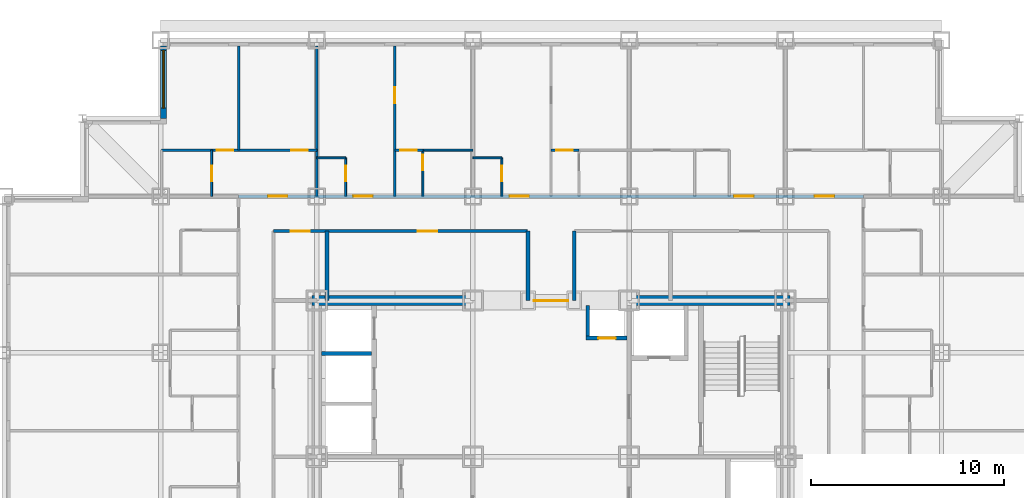
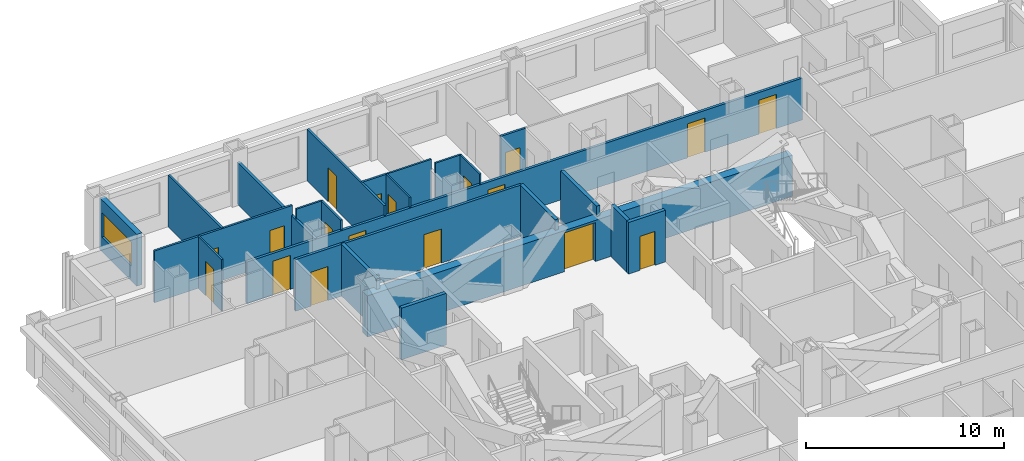
# One storey, part 9 of 12: 23 walls, 18 doors, 1 window, 19 openings.
"""IFC4 building model written with IfcOpenShell, lengths in metres."""

from ifc_helpers import new_model, si_unit, direction, frame, frame_2d, origin, place, context, subcontext, project, spatial, rectangle, extrude, material, layer, layer_set, type_object, element, fill, save


model = new_model("IFC4")

# Units and contexts
model_context = context("Model", 3, precision=1e-05, world=origin(), true_north=direction((0.0, 1.0)))
body_context = subcontext(model_context, "Body", "Model", "MODEL_VIEW")
ifc_project = project(units=[si_unit("LENGTHUNIT", "METRE"), si_unit("AREAUNIT", "SQUARE_METRE"), si_unit("VOLUMEUNIT", "CUBIC_METRE"), si_unit("PLANEANGLEUNIT", "RADIAN"), si_unit("MASSUNIT", "GRAM", prefix="KILO")], contexts=[model_context])

# Site, building, storey
site_placement = place(None, origin())
site = spatial("IfcSite", under=ifc_project, at=site_placement, CompositionType="ELEMENT")
building_placement = place(site_placement, origin())
building = spatial("IfcBuilding", under=site, at=building_placement, Name="Kopane Lantern Tower", CompositionType="ELEMENT")
storey_placement = place(building_placement, frame((0.0, 0.0, 120.39990234375)))
storey = spatial("IfcBuildingStorey", under=building, at=storey_placement, Name="L30", CompositionType="ELEMENT", Elevation=120.39990234375)

# Wall, opening, door
ifc_material_1 = material(Name="Gypsum board on steel studs", Category="steel")
ifc_layer_1 = layer(ifc_material_1, 0.1201171875)
ifc_layer_set_1 = layer_set([ifc_layer_1], Name="APARTMENT INTERNAL WALL 120")
wall_type_1 = type_object("IfcWallType", Name="APARTMENT INTERNAL WALL 120", PredefinedType="PARTITIONING", material=ifc_layer_set_1)
wall_1_placement = place(storey_placement, frame((20.25, 45.89990234375, 0.0), z_axis=(0.0, 0.0, 1.0), x_axis=(0.0, 1.0, 0.0)))
wall_1 = element("IfcWall", 1, at=wall_1_placement, inside=storey, type_object=wall_type_1, Name="Apartment Internal Wall 120 L30", PredefinedType="PARTITIONING", context=body_context, shape_type="SweptSolid", body=[
    extrude(rectangle(XDim=7.800048828125, YDim=0.1201171875, at=frame_2d((3.89990234375, 0.0))), origin(), (0.0, 0.0, 1.0), 3.190185546875),
])
opening_1_placement = place(wall_1_placement, frame((4.824951171875, 0.0, 0.0)))
opening_1 = element("IfcOpeningElement", 2, at=opening_1_placement, cuts=wall_1, Name="Opening L30-027", PredefinedType="OPENING", context=body_context, shape_type="SweptSolid", body=[
    extrude(rectangle(XDim=0.85009765625, YDim=2.10009765625, at=frame_2d((0.425048828125, 1.050048828125))), frame((0.0, 0.070068359375, 0.0), z_axis=(0.0, -1.0, 0.0), x_axis=(1.0, 0.0, 0.0)), (0.0, 0.0, 1.0), 0.14013671875),
])
ifc_material_2 = material(Name="Timber door set", Category="wood")
door_type_1 = type_object("IfcDoorType", Name="DOOR D4 850x2100", OperationType="SINGLE_SWING_LEFT", PredefinedType="DOOR", material=ifc_material_2)
door_1_placement = place(opening_1_placement, origin())
door_1 = element("IfcDoor", 3, at=door_1_placement, inside=storey, type_object=door_type_1, Name="Door L30-027", OperationType="SINGLE_SWING_RIGHT", OverallHeight=2.10009765625, OverallWidth=0.85009765625, PredefinedType="DOOR", context=body_context, shape_type="SweptSolid", body=[
    extrude(rectangle(XDim=0.85009765625, YDim=2.10009765625, at=frame_2d((0.425048828125, 1.050048828125))), frame((0.0, 0.02490234375, 0.0), z_axis=(0.0, -1.0, 0.0), x_axis=(1.0, 0.0, 0.0)), (0.0, 0.0, 1.0), 0.050048828125),
])
fill(opening_1, door_1)

# Wall, openings, doors
wall_2_placement = place(storey_placement, frame((8.14990234375, 48.300048828125, 0.0), z_axis=(0.0, 0.0, 1.0), x_axis=(1.0, 0.0, 0.0)))
wall_2 = element("IfcWall", 4, at=wall_2_placement, inside=storey, type_object=wall_type_1, Name="Apartment Internal Wall 120 L30", PredefinedType="PARTITIONING", context=body_context, shape_type="SweptSolid", body=[
    extrude(rectangle(XDim=8.050048828125, YDim=0.1201171875, at=frame_2d((4.02490234375, 0.0))), origin(), (0.0, 0.0, 1.0), 3.190185546875),
])
opening_2_placement = place(wall_2_placement, frame((6.72509765625, 0.0, 0.0)))
opening_2 = element("IfcOpeningElement", 5, at=opening_2_placement, cuts=wall_2, Name="Opening L30-072", PredefinedType="OPENING", context=body_context, shape_type="SweptSolid", body=[
    extrude(rectangle(XDim=0.85009765625, YDim=2.10009765625, at=frame_2d((0.425048828125, 1.050048828125))), frame((0.0, 0.070068359375, 0.0), z_axis=(0.0, -1.0, 0.0), x_axis=(1.0, 0.0, 0.0)), (0.0, 0.0, 1.0), 0.14013671875),
])
opening_3_placement = place(wall_2_placement, frame((2.875, 0.0, 0.0)))
opening_3 = element("IfcOpeningElement", 6, at=opening_3_placement, cuts=wall_2, Name="Opening L30-074", PredefinedType="OPENING", context=body_context, shape_type="SweptSolid", body=[
    extrude(rectangle(XDim=0.85009765625, YDim=2.10009765625, at=frame_2d((0.425048828125, 1.050048828125))), frame((0.0, 0.070068359375, 0.0), z_axis=(0.0, -1.0, 0.0), x_axis=(1.0, 0.0, 0.0)), (0.0, 0.0, 1.0), 0.14013671875),
])
door_2_placement = place(opening_2_placement, origin())
door_2 = element("IfcDoor", 7, at=door_2_placement, inside=storey, type_object=door_type_1, Name="Door L30-072", OperationType="SINGLE_SWING_LEFT", OverallHeight=2.10009765625, OverallWidth=0.85009765625, PredefinedType="DOOR", context=body_context, shape_type="SweptSolid", body=[
    extrude(rectangle(XDim=0.85009765625, YDim=2.10009765625, at=frame_2d((0.425048828125, 1.050048828125))), frame((0.0, 0.02490234375, 0.0), z_axis=(0.0, -1.0, 0.0), x_axis=(1.0, 0.0, 0.0)), (0.0, 0.0, 1.0), 0.050048828125),
])
fill(opening_2, door_2)
door_3_placement = place(opening_3_placement, origin())
door_3 = element("IfcDoor", 8, at=door_3_placement, inside=storey, type_object=door_type_1, Name="Door L30-074", OperationType="SINGLE_SWING_RIGHT", OverallHeight=2.10009765625, OverallWidth=0.85009765625, PredefinedType="DOOR", context=body_context, shape_type="SweptSolid", body=[
    extrude(rectangle(XDim=0.85009765625, YDim=2.10009765625, at=frame_2d((0.425048828125, 1.050048828125))), frame((0.0, 0.02490234375, 0.0), z_axis=(0.0, -1.0, 0.0), x_axis=(1.0, 0.0, 0.0)), (0.0, 0.0, 1.0), 0.050048828125),
])
fill(opening_3, door_3)

# Wall
wall_3_placement = place(storey_placement, frame((12.14990234375, 48.300048828125, 0.0), z_axis=(0.0, 0.0, 1.0), x_axis=(0.0, 1.0, 0.0)))
element("IfcWall", 9, at=wall_3_placement, inside=storey, type_object=wall_type_1, Name="Apartment Internal Wall 120 L30", PredefinedType="PARTITIONING", context=body_context, shape_type="SweptSolid", body=[
    extrude(rectangle(XDim=5.39990234375, YDim=0.1201171875, at=frame_2d((2.699951171875, 0.0))), origin(), (0.0, 0.0, 1.0), 3.190185546875),
])

# Wall, opening, door
wall_4_placement = place(storey_placement, frame((20.25, 48.300048828125, 0.0), z_axis=(0.0, 0.0, 1.0), x_axis=(1.0, 0.0, 0.0)))
wall_4 = element("IfcWall", 10, at=wall_4_placement, inside=storey, type_object=wall_type_1, Name="Apartment Internal Wall 120 L30", PredefinedType="PARTITIONING", context=body_context, shape_type="SweptSolid", body=[
    extrude(rectangle(XDim=1.4599609375, YDim=0.1201171875, at=frame_2d((0.72998046875, 0.0))), origin(), (0.0, 0.0, 1.0), 3.190185546875),
])
opening_4_placement = place(wall_4_placement, frame((0.27490234375, 0.0, 0.0)))
opening_4 = element("IfcOpeningElement", 11, at=opening_4_placement, cuts=wall_4, Name="Opening L30-078", PredefinedType="OPENING", context=body_context, shape_type="SweptSolid", body=[
    extrude(rectangle(XDim=0.85009765625, YDim=2.10009765625, at=frame_2d((0.425048828125, 1.050048828125))), frame((0.0, 0.070068359375, 0.0), z_axis=(0.0, -1.0, 0.0), x_axis=(1.0, 0.0, 0.0)), (0.0, 0.0, 1.0), 0.14013671875),
])
door_4_placement = place(opening_4_placement, origin())
door_4 = element("IfcDoor", 12, at=door_4_placement, inside=storey, type_object=door_type_1, Name="Door L30-078", OperationType="SINGLE_SWING_LEFT", OverallHeight=2.10009765625, OverallWidth=0.85009765625, PredefinedType="DOOR", context=body_context, shape_type="SweptSolid", body=[
    extrude(rectangle(XDim=0.85009765625, YDim=2.10009765625, at=frame_2d((0.425048828125, 1.050048828125))), frame((0.0, 0.02490234375, 0.0), z_axis=(0.0, -1.0, 0.0), x_axis=(1.0, 0.0, 0.0)), (0.0, 0.0, 1.0), 0.050048828125),
])
fill(opening_4, door_4)

wall_5_placement = place(storey_placement, frame((28.35009765625, 48.300048828125, 0.0), z_axis=(0.0, 0.0, 1.0), x_axis=(1.0, 0.0, 0.0)))
wall_5 = element("IfcWall", 13, at=wall_5_placement, inside=storey, type_object=wall_type_1, Name="Apartment Internal Wall 120 L30", PredefinedType="PARTITIONING", context=body_context, shape_type="SweptSolid", body=[
    extrude(rectangle(XDim=1.4599609375, YDim=0.1201171875, at=frame_2d((0.72998046875, 0.0))), origin(), (0.0, 0.0, 1.0), 3.190185546875),
])
opening_5_placement = place(wall_5_placement, frame((0.27490234375, 0.0, 0.0)))
opening_5 = element("IfcOpeningElement", 14, at=opening_5_placement, cuts=wall_5, Name="Opening L30-079", PredefinedType="OPENING", context=body_context, shape_type="SweptSolid", body=[
    extrude(rectangle(XDim=0.85009765625, YDim=2.10009765625, at=frame_2d((0.425048828125, 1.050048828125))), frame((0.0, 0.070068359375, 0.0), z_axis=(0.0, -1.0, 0.0), x_axis=(1.0, 0.0, 0.0)), (0.0, 0.0, 1.0), 0.14013671875),
])
door_5_placement = place(opening_5_placement, origin())
door_5 = element("IfcDoor", 15, at=door_5_placement, inside=storey, type_object=door_type_1, Name="Door L30-079", OperationType="SINGLE_SWING_LEFT", OverallHeight=2.10009765625, OverallWidth=0.85009765625, PredefinedType="DOOR", context=body_context, shape_type="SweptSolid", body=[
    extrude(rectangle(XDim=0.85009765625, YDim=2.10009765625, at=frame_2d((0.425048828125, 1.050048828125))), frame((0.0, 0.02490234375, 0.0), z_axis=(0.0, -1.0, 0.0), x_axis=(1.0, 0.0, 0.0)), (0.0, 0.0, 1.0), 0.050048828125),
])
fill(opening_5, door_5)

# Wall
ifc_material_3 = material(Name="Moisture-resistant board on steel studs", Category="steel")
ifc_layer_2 = layer(ifc_material_3, 0.10009765625)
ifc_layer_set_2 = layer_set([ifc_layer_2], Name="BATHROOM WALL 100")
wall_type_2 = type_object("IfcWallType", Name="BATHROOM WALL 100", PredefinedType="PARTITIONING", material=ifc_layer_set_2)
wall_6_placement = place(storey_placement, frame((16.199951171875, 47.89990234375, 0.0), z_axis=(0.0, 0.0, 1.0), x_axis=(1.0, 0.0, 0.0)))
element("IfcWall", 16, at=wall_6_placement, inside=storey, type_object=wall_type_2, Name="Bathroom Wall 100 L30", PredefinedType="PARTITIONING", context=body_context, shape_type="SweptSolid", body=[
    extrude(rectangle(XDim=1.5, YDim=0.10009765625, at=frame_2d((0.75, 0.0))), origin(), (0.0, 0.0, 1.0), 3.190185546875),
])

# Wall, opening, door
wall_7_placement = place(storey_placement, frame((17.699951171875, 45.89990234375, 0.0), z_axis=(0.0, 0.0, 1.0), x_axis=(0.0, 1.0, 0.0)))
wall_7 = element("IfcWall", 17, at=wall_7_placement, inside=storey, type_object=wall_type_2, Name="Bathroom Wall 100 L30", PredefinedType="PARTITIONING", context=body_context, shape_type="SweptSolid", body=[
    extrude(rectangle(XDim=2.0, YDim=0.10009765625, at=frame_2d((1.0, 0.0))), origin(), (0.0, 0.0, 1.0), 3.190185546875),
])
opening_6_placement = place(wall_7_placement, frame((0.800048828125, 0.0, 0.0)))
opening_6 = element("IfcOpeningElement", 18, at=opening_6_placement, cuts=wall_7, Name="Opening L30-024", PredefinedType="OPENING", context=body_context, shape_type="SweptSolid", body=[
    extrude(rectangle(XDim=0.800048828125, YDim=2.10009765625, at=frame_2d((0.39990234375, 1.050048828125))), frame((0.0, 0.06005859375, 0.0), z_axis=(0.0, -1.0, 0.0), x_axis=(1.0, 0.0, 0.0)), (0.0, 0.0, 1.0), 0.1201171875),
])
ifc_material_4 = material(Name="Timber door set", Category="wood")
door_type_2 = type_object("IfcDoorType", Name="DOOR D2 800x2100", OperationType="SINGLE_SWING_LEFT", PredefinedType="DOOR", material=ifc_material_4)
door_6_placement = place(opening_6_placement, origin())
door_6 = element("IfcDoor", 19, at=door_6_placement, inside=storey, type_object=door_type_2, Name="Door L30-024", OperationType="SINGLE_SWING_RIGHT", OverallHeight=2.10009765625, OverallWidth=0.800048828125, PredefinedType="DOOR", context=body_context, shape_type="SweptSolid", body=[
    extrude(rectangle(XDim=0.800048828125, YDim=2.10009765625, at=frame_2d((0.39990234375, 1.050048828125))), frame((0.0, 0.02490234375, 0.0), z_axis=(0.0, -1.0, 0.0), x_axis=(1.0, 0.0, 0.0)), (0.0, 0.0, 1.0), 0.050048828125),
])
fill(opening_6, door_6)

# Wall
wall_8_placement = place(storey_placement, frame((21.699951171875, 48.300048828125, 0.0), z_axis=(0.0, 0.0, 1.0), x_axis=(1.0, 0.0, 0.0)))
element("IfcWall", 20, at=wall_8_placement, inside=storey, type_object=wall_type_2, Name="Bathroom Wall 100 L30", PredefinedType="PARTITIONING", context=body_context, shape_type="SweptSolid", body=[
    extrude(rectangle(XDim=2.60009765625, YDim=0.10009765625, at=frame_2d((1.300048828125, 0.0))), origin(), (0.0, 0.0, 1.0), 3.190185546875),
])

# Wall, opening, door
wall_9_placement = place(storey_placement, frame((21.699951171875, 45.89990234375, 0.0), z_axis=(0.0, 0.0, 1.0), x_axis=(0.0, 1.0, 0.0)))
wall_9 = element("IfcWall", 21, at=wall_9_placement, inside=storey, type_object=wall_type_2, Name="Bathroom Wall 100 L30", PredefinedType="PARTITIONING", context=body_context, shape_type="SweptSolid", body=[
    extrude(rectangle(XDim=2.400146484375, YDim=0.10009765625, at=frame_2d((1.2001953125, 0.0))), origin(), (0.0, 0.0, 1.0), 3.190185546875),
])
opening_7_placement = place(wall_9_placement, frame((1.35009765625, 0.0, 0.0)))
opening_7 = element("IfcOpeningElement", 22, at=opening_7_placement, cuts=wall_9, Name="Opening L30-026", PredefinedType="OPENING", context=body_context, shape_type="SweptSolid", body=[
    extrude(rectangle(XDim=0.800048828125, YDim=2.10009765625, at=frame_2d((0.39990234375, 1.050048828125))), frame((0.0, 0.06005859375, 0.0), z_axis=(0.0, -1.0, 0.0), x_axis=(1.0, 0.0, 0.0)), (0.0, 0.0, 1.0), 0.1201171875),
])
door_7_placement = place(opening_7_placement, origin())
door_7 = element("IfcDoor", 23, at=door_7_placement, inside=storey, type_object=door_type_2, Name="Door L30-026", OperationType="SINGLE_SWING_RIGHT", OverallHeight=2.10009765625, OverallWidth=0.800048828125, PredefinedType="DOOR", context=body_context, shape_type="SweptSolid", body=[
    extrude(rectangle(XDim=0.800048828125, YDim=2.10009765625, at=frame_2d((0.39990234375, 1.050048828125))), frame((0.0, 0.02490234375, 0.0), z_axis=(0.0, -1.0, 0.0), x_axis=(1.0, 0.0, 0.0)), (0.0, 0.0, 1.0), 0.050048828125),
])
fill(opening_7, door_7)

# Wall
wall_10_placement = place(storey_placement, frame((24.300048828125, 47.89990234375, 0.0), z_axis=(0.0, 0.0, 1.0), x_axis=(1.0, 0.0, 0.0)))
element("IfcWall", 24, at=wall_10_placement, inside=storey, type_object=wall_type_2, Name="Bathroom Wall 100 L30", PredefinedType="PARTITIONING", context=body_context, shape_type="SweptSolid", body=[
    extrude(rectangle(XDim=1.5, YDim=0.10009765625, at=frame_2d((0.75, 0.0))), origin(), (0.0, 0.0, 1.0), 3.190185546875),
])

# Wall, opening, door
wall_11_placement = place(storey_placement, frame((25.800048828125, 45.89990234375, 0.0), z_axis=(0.0, 0.0, 1.0), x_axis=(0.0, 1.0, 0.0)))
wall_11 = element("IfcWall", 25, at=wall_11_placement, inside=storey, type_object=wall_type_2, Name="Bathroom Wall 100 L30", PredefinedType="PARTITIONING", context=body_context, shape_type="SweptSolid", body=[
    extrude(rectangle(XDim=2.0, YDim=0.10009765625, at=frame_2d((1.0, 0.0))), origin(), (0.0, 0.0, 1.0), 3.190185546875),
])
opening_8_placement = place(wall_11_placement, frame((0.800048828125, 0.0, 0.0)))
opening_8 = element("IfcOpeningElement", 26, at=opening_8_placement, cuts=wall_11, Name="Opening L30-028", PredefinedType="OPENING", context=body_context, shape_type="SweptSolid", body=[
    extrude(rectangle(XDim=0.800048828125, YDim=2.10009765625, at=frame_2d((0.39990234375, 1.050048828125))), frame((0.0, 0.06005859375, 0.0), z_axis=(0.0, -1.0, 0.0), x_axis=(1.0, 0.0, 0.0)), (0.0, 0.0, 1.0), 0.1201171875),
])
door_8_placement = place(opening_8_placement, origin())
door_8 = element("IfcDoor", 27, at=door_8_placement, inside=storey, type_object=door_type_2, Name="Door L30-028", OperationType="SINGLE_SWING_RIGHT", OverallHeight=2.10009765625, OverallWidth=0.800048828125, PredefinedType="DOOR", context=body_context, shape_type="SweptSolid", body=[
    extrude(rectangle(XDim=0.800048828125, YDim=2.10009765625, at=frame_2d((0.39990234375, 1.050048828125))), frame((0.0, 0.02490234375, 0.0), z_axis=(0.0, -1.0, 0.0), x_axis=(1.0, 0.0, 0.0)), (0.0, 0.0, 1.0), 0.050048828125),
])
fill(opening_8, door_8)

wall_12_placement = place(storey_placement, frame((10.75, 45.89990234375, 0.0), z_axis=(0.0, 0.0, 1.0), x_axis=(0.0, 1.0, 0.0)))
wall_12 = element("IfcWall", 28, at=wall_12_placement, inside=storey, type_object=wall_type_2, Name="Bathroom Wall 100 L30", PredefinedType="PARTITIONING", context=body_context, shape_type="SweptSolid", body=[
    extrude(rectangle(XDim=2.400146484375, YDim=0.10009765625, at=frame_2d((1.2001953125, 0.0))), origin(), (0.0, 0.0, 1.0), 3.190185546875),
])
opening_9_placement = place(wall_12_placement, frame((0.800048828125, 0.0, 0.0)))
opening_9 = element("IfcOpeningElement", 29, at=opening_9_placement, cuts=wall_12, Name="Opening L30-073", PredefinedType="OPENING", context=body_context, shape_type="SweptSolid", body=[
    extrude(rectangle(XDim=0.800048828125, YDim=2.10009765625, at=frame_2d((0.39990234375, 1.050048828125))), frame((0.0, 0.06005859375, 0.0), z_axis=(0.0, -1.0, 0.0), x_axis=(1.0, 0.0, 0.0)), (0.0, 0.0, 1.0), 0.1201171875),
])
door_9_placement = place(opening_9_placement, origin())
door_9 = element("IfcDoor", 30, at=door_9_placement, inside=storey, type_object=door_type_2, Name="Door L30-073", OperationType="SINGLE_SWING_LEFT", OverallHeight=2.10009765625, OverallWidth=0.800048828125, PredefinedType="DOOR", context=body_context, shape_type="SweptSolid", body=[
    extrude(rectangle(XDim=0.800048828125, YDim=2.10009765625, at=frame_2d((0.39990234375, 1.050048828125))), frame((0.0, 0.02490234375, 0.0), z_axis=(0.0, -1.0, 0.0), x_axis=(1.0, 0.0, 0.0)), (0.0, 0.0, 1.0), 0.050048828125),
])
fill(opening_9, door_9)

ifc_material_5 = material(Name="Gypsum shaft wall EI 120", Category="gypsum")
ifc_layer_3 = layer(ifc_material_5, 0.5)
ifc_layer_set_3 = layer_set([ifc_layer_3], Name="CORE PERIMETER WALL 500 EI 120")
wall_type_3 = type_object("IfcWallType", Name="CORE PERIMETER WALL 500 EI 120", PredefinedType="SOLIDWALL", material=ifc_layer_set_3)
wall_13_placement = place(storey_placement, frame((15.949951171875, 40.5, 0.0), z_axis=(0.0, 0.0, 1.0), x_axis=(1.0, 0.0, 0.0)))
wall_13 = element("IfcWall", 31, at=wall_13_placement, inside=storey, type_object=wall_type_3, Name="Core shaft wall L30 PN", PredefinedType="SOLIDWALL", context=body_context, shape_type="SweptSolid", body=[
    extrude(rectangle(XDim=24.800048828125, YDim=0.5, at=frame_2d((12.39990234375, 0.0))), origin(), (0.0, 0.0, 1.0), 2.5400390625),
])
opening_10_placement = place(wall_13_placement, frame((11.5, 0.0, 0.0)))
opening_10 = element("IfcOpeningElement", 32, at=opening_10_placement, cuts=wall_13, Name="Opening 30.CE-N", PredefinedType="OPENING", context=body_context, shape_type="SweptSolid", body=[
    extrude(rectangle(XDim=1.800048828125, YDim=2.39990234375, at=frame_2d((0.89990234375, 1.199951171875))), frame((0.0, 0.260009765625, 0.0), z_axis=(0.0, -1.0, 0.0), x_axis=(1.0, 0.0, 0.0)), (0.0, 0.0, 1.0), 0.52001953125),
])
ifc_material_6 = material(Name="Steel door set", Category="steel")
door_type_3 = type_object("IfcDoorType", Name="CORE ENTRY DOOR 1800x2400 FD60S", OperationType="DOUBLE_DOOR_SINGLE_SWING", PredefinedType="DOOR", material=ifc_material_6)
door_10_placement = place(opening_10_placement, origin())
door_10 = element("IfcDoor", 33, at=door_10_placement, inside=storey, type_object=door_type_3, Name="Core entry door L30 north", OperationType="DOUBLE_DOOR_SINGLE_SWING", OverallHeight=2.39990234375, OverallWidth=1.800048828125, PredefinedType="DOOR", context=body_context, shape_type="SweptSolid", body=[
    extrude(rectangle(XDim=1.800048828125, YDim=2.39990234375, at=frame_2d((0.89990234375, 1.199951171875))), frame((0.0, 0.02490234375, 0.0), z_axis=(0.0, -1.0, 0.0), x_axis=(1.0, 0.0, 0.0)), (0.0, 0.0, 1.0), 0.050048828125),
])
fill(opening_10, door_10)

# Wall, openings, doors
ifc_material_7 = material(Name="Gypsum board on steel studs", Category="steel")
ifc_layer_4 = layer(ifc_material_7, 0.14990234375)
ifc_layer_set_4 = layer_set([ifc_layer_4], Name="CORRIDOR WALL 150 EI 60")
wall_type_4 = type_object("IfcWallType", Name="CORRIDOR WALL 150 EI 60", PredefinedType="PARTITIONING", material=ifc_layer_set_4)
wall_14_placement = place(storey_placement, frame((12.14990234375, 45.89990234375, 0.0), z_axis=(0.0, 0.0, 1.0), x_axis=(1.0, 0.0, 0.0)))
wall_14 = element("IfcWall", 34, at=wall_14_placement, inside=storey, type_object=wall_type_4, Name="Corridor Wall 150 Ei 60 L30", PredefinedType="PARTITIONING", context=body_context, shape_type="SweptSolid", body=[
    extrude(rectangle(XDim=32.400146484375, YDim=0.14990234375, at=frame_2d((16.2001953125, 0.0))), origin(), (0.0, 0.0, 1.0), 2.577880859375),
])
opening_11_placement = place(wall_14_placement, frame((5.949951171875, 0.0, 0.0)))
opening_11 = element("IfcOpeningElement", 35, at=opening_11_placement, cuts=wall_14, Name="Opening L30-025", PredefinedType="OPENING", context=body_context, shape_type="SweptSolid", body=[
    extrude(rectangle(XDim=1.0, YDim=2.10009765625, at=frame_2d((0.5, 1.050048828125))), frame((0.0, 0.0849609375, 0.0), z_axis=(0.0, -1.0, 0.0), x_axis=(1.0, 0.0, 0.0)), (0.0, 0.0, 1.0), 0.169921875),
])
opening_12_placement = place(wall_14_placement, frame((14.050048828125, 0.0, 0.0)))
opening_12 = element("IfcOpeningElement", 36, at=opening_12_placement, cuts=wall_14, Name="Opening L30-029", PredefinedType="OPENING", context=body_context, shape_type="SweptSolid", body=[
    extrude(rectangle(XDim=1.0, YDim=2.10009765625, at=frame_2d((0.5, 1.050048828125))), frame((0.0, 0.0849609375, 0.0), z_axis=(0.0, -1.0, 0.0), x_axis=(1.0, 0.0, 0.0)), (0.0, 0.0, 1.0), 0.169921875),
])
opening_13_placement = place(wall_14_placement, frame((25.699951171875, 0.0, 0.0)))
opening_13 = element("IfcOpeningElement", 37, at=opening_13_placement, cuts=wall_14, Name="Opening L30-034", PredefinedType="OPENING", context=body_context, shape_type="SweptSolid", body=[
    extrude(rectangle(XDim=1.0, YDim=2.10009765625, at=frame_2d((0.5, 1.050048828125))), frame((0.0, 0.0849609375, 0.0), z_axis=(0.0, -1.0, 0.0), x_axis=(1.0, 0.0, 0.0)), (0.0, 0.0, 1.0), 0.169921875),
])
opening_14_placement = place(wall_14_placement, frame((29.875, 0.0, 0.0)))
opening_14 = element("IfcOpeningElement", 38, at=opening_14_placement, cuts=wall_14, Name="Opening L30-067", PredefinedType="OPENING", context=body_context, shape_type="SweptSolid", body=[
    extrude(rectangle(XDim=1.0, YDim=2.10009765625, at=frame_2d((0.5, 1.050048828125))), frame((0.0, 0.0849609375, 0.0), z_axis=(0.0, -1.0, 0.0), x_axis=(1.0, 0.0, 0.0)), (0.0, 0.0, 1.0), 0.169921875),
])
opening_15_placement = place(wall_14_placement, frame((1.52490234375, 0.0, 0.0)))
opening_15 = element("IfcOpeningElement", 39, at=opening_15_placement, cuts=wall_14, Name="Opening L30-071", PredefinedType="OPENING", context=body_context, shape_type="SweptSolid", body=[
    extrude(rectangle(XDim=1.0, YDim=2.10009765625, at=frame_2d((0.5, 1.050048828125))), frame((0.0, 0.0849609375, 0.0), z_axis=(0.0, -1.0, 0.0), x_axis=(1.0, 0.0, 0.0)), (0.0, 0.0, 1.0), 0.169921875),
])
ifc_material_8 = material(Name="Steel door set", Category="steel")
door_type_4 = type_object("IfcDoorType", Name="DOOR D1 1000x2100 FD30S", OperationType="SINGLE_SWING_LEFT", PredefinedType="DOOR", material=ifc_material_8)
door_11_placement = place(opening_11_placement, origin())
door_11 = element("IfcDoor", 40, at=door_11_placement, inside=storey, type_object=door_type_4, Name="Door L30-025", OperationType="SINGLE_SWING_LEFT", OverallHeight=2.10009765625, OverallWidth=1.0, PredefinedType="DOOR", context=body_context, shape_type="SweptSolid", body=[
    extrude(rectangle(XDim=1.0, YDim=2.10009765625, at=frame_2d((0.5, 1.050048828125))), frame((0.0, 0.02490234375, 0.0), z_axis=(0.0, -1.0, 0.0), x_axis=(1.0, 0.0, 0.0)), (0.0, 0.0, 1.0), 0.050048828125),
])
fill(opening_11, door_11)
door_12_placement = place(opening_12_placement, origin())
door_12 = element("IfcDoor", 41, at=door_12_placement, inside=storey, type_object=door_type_4, Name="Door L30-029", OperationType="SINGLE_SWING_LEFT", OverallHeight=2.10009765625, OverallWidth=1.0, PredefinedType="DOOR", context=body_context, shape_type="SweptSolid", body=[
    extrude(rectangle(XDim=1.0, YDim=2.10009765625, at=frame_2d((0.5, 1.050048828125))), frame((0.0, 0.02490234375, 0.0), z_axis=(0.0, -1.0, 0.0), x_axis=(1.0, 0.0, 0.0)), (0.0, 0.0, 1.0), 0.050048828125),
])
fill(opening_12, door_12)
door_13_placement = place(opening_13_placement, origin())
door_13 = element("IfcDoor", 42, at=door_13_placement, inside=storey, type_object=door_type_4, Name="Door L30-034", OperationType="SINGLE_SWING_LEFT", OverallHeight=2.10009765625, OverallWidth=1.0, PredefinedType="DOOR", context=body_context, shape_type="SweptSolid", body=[
    extrude(rectangle(XDim=1.0, YDim=2.10009765625, at=frame_2d((0.5, 1.050048828125))), frame((0.0, 0.02490234375, 0.0), z_axis=(0.0, -1.0, 0.0), x_axis=(1.0, 0.0, 0.0)), (0.0, 0.0, 1.0), 0.050048828125),
])
fill(opening_13, door_13)
door_14_placement = place(opening_14_placement, origin())
door_14 = element("IfcDoor", 43, at=door_14_placement, inside=storey, type_object=door_type_4, Name="Door L30-067", OperationType="SINGLE_SWING_LEFT", OverallHeight=2.10009765625, OverallWidth=1.0, PredefinedType="DOOR", context=body_context, shape_type="SweptSolid", body=[
    extrude(rectangle(XDim=1.0, YDim=2.10009765625, at=frame_2d((0.5, 1.050048828125))), frame((0.0, 0.02490234375, 0.0), z_axis=(0.0, -1.0, 0.0), x_axis=(1.0, 0.0, 0.0)), (0.0, 0.0, 1.0), 0.050048828125),
])
fill(opening_14, door_14)
door_15_placement = place(opening_15_placement, origin())
door_15 = element("IfcDoor", 44, at=door_15_placement, inside=storey, type_object=door_type_4, Name="Door L30-071", OperationType="SINGLE_SWING_RIGHT", OverallHeight=2.10009765625, OverallWidth=1.0, PredefinedType="DOOR", context=body_context, shape_type="SweptSolid", body=[
    extrude(rectangle(XDim=1.0, YDim=2.10009765625, at=frame_2d((0.5, 1.050048828125))), frame((0.0, 0.02490234375, 0.0), z_axis=(0.0, -1.0, 0.0), x_axis=(1.0, 0.0, 0.0)), (0.0, 0.0, 1.0), 0.050048828125),
])
fill(opening_15, door_15)

wall_15_placement = place(storey_placement, frame((27.139892578125, 44.10009765625, 0.0), z_axis=(0.0, 0.0, 1.0), x_axis=(-1.0, 0.0, 0.0)))
wall_15 = element("IfcWall", 45, at=wall_15_placement, inside=storey, type_object=wall_type_4, Name="Corridor Wall 150 Ei 60 L30", PredefinedType="PARTITIONING", context=body_context, shape_type="SweptSolid", body=[
    extrude(rectangle(XDim=13.18994140625, YDim=0.14990234375, at=frame_2d((6.594970703125, 0.0))), origin(), (0.0, 0.0, 1.0), 3.190185546875),
])
opening_16_placement = place(wall_15_placement, frame((11.301025390625, 0.0, 0.0)))
opening_16 = element("IfcOpeningElement", 46, at=opening_16_placement, cuts=wall_15, Name="Opening L30-009", PredefinedType="OPENING", context=body_context, shape_type="SweptSolid", body=[
    extrude(rectangle(XDim=1.0, YDim=2.10009765625, at=frame_2d((0.5, 1.050048828125))), frame((0.0, 0.0849609375, 0.0), z_axis=(0.0, -1.0, 0.0), x_axis=(1.0, 0.0, 0.0)), (0.0, 0.0, 1.0), 0.169921875),
])
opening_17_placement = place(wall_15_placement, frame((4.701171875, 0.0, 0.0)))
opening_17 = element("IfcOpeningElement", 47, at=opening_17_placement, cuts=wall_15, Name="Opening L30-010", PredefinedType="OPENING", context=body_context, shape_type="SweptSolid", body=[
    extrude(rectangle(XDim=1.0, YDim=2.10009765625, at=frame_2d((0.5, 1.050048828125))), frame((0.0, 0.0849609375, 0.0), z_axis=(0.0, -1.0, 0.0), x_axis=(1.0, 0.0, 0.0)), (0.0, 0.0, 1.0), 0.169921875),
])
ifc_material_9 = material(Name="Steel door set", Category="steel")
door_type_5 = type_object("IfcDoorType", Name="DOOR D5 1000x2100 FD60", OperationType="SINGLE_SWING_LEFT", PredefinedType="DOOR", material=ifc_material_9)
door_16_placement = place(opening_16_placement, origin())
door_16 = element("IfcDoor", 48, at=door_16_placement, inside=storey, type_object=door_type_5, Name="Door L30-009", OperationType="SINGLE_SWING_RIGHT", OverallHeight=2.10009765625, OverallWidth=1.0, PredefinedType="DOOR", context=body_context, shape_type="SweptSolid", body=[
    extrude(rectangle(XDim=1.0, YDim=2.10009765625, at=frame_2d((0.5, 1.050048828125))), frame((0.0, 0.02490234375, 0.0), z_axis=(0.0, -1.0, 0.0), x_axis=(1.0, 0.0, 0.0)), (0.0, 0.0, 1.0), 0.050048828125),
])
fill(opening_16, door_16)
door_17_placement = place(opening_17_placement, origin())
door_17 = element("IfcDoor", 49, at=door_17_placement, inside=storey, type_object=door_type_5, Name="Door L30-010", OperationType="SINGLE_SWING_LEFT", OverallHeight=2.10009765625, OverallWidth=1.0, PredefinedType="DOOR", context=body_context, shape_type="SweptSolid", body=[
    extrude(rectangle(XDim=1.0, YDim=2.10009765625, at=frame_2d((0.5, 1.050048828125))), frame((0.0, 0.02490234375, 0.0), z_axis=(0.0, -1.0, 0.0), x_axis=(1.0, 0.0, 0.0)), (0.0, 0.0, 1.0), 0.050048828125),
])
fill(opening_17, door_17)

# Wall
ifc_material_10 = material(Name="Gypsum board on steel studs", Category="steel")
ifc_layer_5 = layer(ifc_material_10, 0.14990234375)
ifc_layer_set_5 = layer_set([ifc_layer_5], Name="DEMISING WALL 150 EI 60")
wall_type_5 = type_object("IfcWallType", Name="DEMISING WALL 150 EI 60", PredefinedType="PARTITIONING", material=ifc_layer_set_5)
wall_16_placement = place(storey_placement, frame((16.199951171875, 45.89990234375, 0.0), z_axis=(0.0, 0.0, 1.0), x_axis=(0.0, 1.0, 0.0)))
element("IfcWall", 50, at=wall_16_placement, inside=storey, type_object=wall_type_5, Name="Demising Wall 150 Ei 60 L30", PredefinedType="PARTITIONING", context=body_context, shape_type="SweptSolid", body=[
    extrude(rectangle(XDim=7.800048828125, YDim=0.14990234375, at=frame_2d((3.89990234375, 0.0))), origin(), (0.0, 0.0, 1.0), 2.577880859375),
])

# Wall, opening, window
ifc_material_11 = material(Name="Terracotta rainscreen on light steel framing", Category="masonry")
ifc_layer_6 = layer(ifc_material_11, 0.300048828125)
ifc_layer_set_6 = layer_set([ifc_layer_6], Name="EXTERNAL WALL EW1 300 TERRACOTTA")
wall_type_6 = type_object("IfcWallType", Name="EXTERNAL WALL EW1 300 TERRACOTTA", PredefinedType="SOLIDWALL", material=ifc_layer_set_6)
wall_17_placement = place(storey_placement, frame((8.25, 53.699951171875, 0.0), z_axis=(0.0, 0.0, 1.0), x_axis=(0.0, -1.0, 0.0)))
wall_17 = element("IfcWall", 51, at=wall_17_placement, inside=storey, type_object=wall_type_6, Name="External wall W L30", PredefinedType="SOLIDWALL", context=body_context, shape_type="SweptSolid", body=[
    extrude(rectangle(XDim=3.75, YDim=0.300048828125, at=frame_2d((1.875, 0.0))), origin(), (0.0, 0.0, 1.0), 3.190185546875),
])
opening_18_placement = place(wall_17_placement, frame((0.22509765625, 0.0, 0.89990234375)))
opening_18 = element("IfcOpeningElement", 52, at=opening_18_placement, cuts=wall_17, Name="Opening WR300150", PredefinedType="OPENING", context=body_context, shape_type="SweptSolid", body=[
    extrude(rectangle(XDim=3.0, YDim=1.5, at=frame_2d((1.5, 0.75))), frame((0.0, 0.159912109375, 0.0), z_axis=(0.0, -1.0, 0.0), x_axis=(1.0, 0.0, 0.0)), (0.0, 0.0, 1.0), 0.320068359375),
])
ifc_material_12 = material(Name="Aluminium and clear glass", Category="aluminium")
window_type = type_object("IfcWindowType", Name="RIBBON WINDOW WR300150 3000x1500", PartitioningType="SINGLE_PANEL", PredefinedType="WINDOW", material=ifc_material_12)
window_placement = place(opening_18_placement, origin())
window = element("IfcWindow", 53, at=window_placement, inside=storey, type_object=window_type, Name="Window W L30", OverallHeight=1.5, OverallWidth=3.0, PartitioningType="SINGLE_PANEL", PredefinedType="WINDOW", context=body_context, shape_type="SweptSolid", body=[
    extrude(rectangle(XDim=3.0, YDim=1.5, at=frame_2d((1.5, 0.75))), frame((0.0, 0.030029296875, 0.0), z_axis=(0.0, -1.0, 0.0), x_axis=(1.0, 0.0, 0.0)), (0.0, 0.0, 1.0), 0.06005859375),
])
fill(opening_18, window)

# Walls
ifc_material_13 = material(Name="Concrete masonry", Category="masonry")
ifc_layer_7 = layer(ifc_material_13, 0.199951171875)
ifc_layer_set_7 = layer_set([ifc_layer_7], Name="PLANT ROOM WALL 200 EI 120")
wall_type_7 = type_object("IfcWallType", Name="PLANT ROOM WALL 200 EI 120", PredefinedType="SOLIDWALL", material=ifc_layer_set_7)
for number, where, z_axis, x_axis, name in (
    (54, (16.727783203125, 44.10009765625, 0.0), (0.0, 0.0, 1.0), (0.0, -1.0, 0.0), "Plant Room Wall 200 Ei 120 L30"),
    (55, (27.14990234375, 40.5, 0.0), (0.0, 0.0, 1.0), (0.0, 1.0, 0.0), "Plant Room Wall 200 Ei 120 L30"),
    (56, (29.550048828125, 40.5, 0.0), (0.0, 0.0, 1.0), (0.0, 1.0, 0.0), "Plant Room Wall 200 Ei 120 L30"),
):
    element("IfcWall", number, at=place(storey_placement, frame(where, z_axis=z_axis, x_axis=x_axis)), inside=storey, type_object=wall_type_7, Name=name, PredefinedType="SOLIDWALL", context=body_context, shape_type="SweptSolid", body=[
        extrude(rectangle(XDim=3.60009765625, YDim=0.199951171875, at=frame_2d((1.800048828125, 0.0))), origin(), (0.0, 0.0, 1.0), 3.190185546875),
    ])
ifc_material_14 = material(Name="Gypsum shaft wall EI 120", Category="gypsum")
ifc_layer_8 = layer(ifc_material_14, 0.199951171875)
ifc_layer_set_8 = layer_set([ifc_layer_8], Name="SHAFT WALL 200 EI 120")
wall_type_8 = type_object("IfcWallType", Name="SHAFT WALL 200 EI 120", PredefinedType="SOLIDWALL", material=ifc_layer_set_8)
wall_18_placement = place(storey_placement, frame((16.449951171875, 37.75, 0.0), z_axis=(0.0, 0.0, 1.0), x_axis=(1.0, 0.0, 0.0)))
element("IfcWall", 57, at=wall_18_placement, inside=storey, type_object=wall_type_8, Name="Core shaft wall L30 YLH23", PredefinedType="SOLIDWALL", context=body_context, shape_type="SweptSolid", body=[
    extrude(rectangle(XDim=2.60009765625, YDim=0.199951171875, at=frame_2d((1.300048828125, 0.0))), origin(), (0.0, 0.0, 1.0), 3.190185546875),
])
wall_19_placement = place(storey_placement, frame((30.25, 38.64990234375, 0.0), z_axis=(0.0, 0.0, 1.0), x_axis=(0.0, 1.0, 0.0)))
element("IfcWall", 58, at=wall_19_placement, inside=storey, type_object=wall_type_8, Name="Core shaft wall L30 XRS2", PredefinedType="SOLIDWALL", context=body_context, shape_type="SweptSolid", body=[
    extrude(rectangle(XDim=1.60009765625, YDim=0.199951171875, at=frame_2d((0.800048828125, 0.0))), origin(), (0.0, 0.0, 1.0), 3.190185546875),
])

# Wall, opening, door
wall_20_placement = place(storey_placement, frame((30.14990234375, 38.550048828125, 0.0), z_axis=(0.0, 0.0, 1.0), x_axis=(1.0, 0.0, 0.0)))
wall_20 = element("IfcWall", 59, at=wall_20_placement, inside=storey, type_object=wall_type_8, Name="Core shaft wall L30 YRS2", PredefinedType="SOLIDWALL", context=body_context, shape_type="SweptSolid", body=[
    extrude(rectangle(XDim=2.150146484375, YDim=0.199951171875, at=frame_2d((1.0751953125, 0.0))), origin(), (0.0, 0.0, 1.0), 3.190185546875),
])
opening_19_placement = place(wall_20_placement, frame((0.64990234375, 0.0, 0.0)))
opening_19 = element("IfcOpeningElement", 60, at=opening_19_placement, cuts=wall_20, Name="Opening 30.RS2", PredefinedType="OPENING", context=body_context, shape_type="SweptSolid", body=[
    extrude(rectangle(XDim=0.89990234375, YDim=2.10009765625, at=frame_2d((0.449951171875, 1.050048828125))), frame((0.0, 0.10986328125, 0.0), z_axis=(0.0, -1.0, 0.0), x_axis=(1.0, 0.0, 0.0)), (0.0, 0.0, 1.0), 0.219970703125),
])
ifc_material_15 = material(Name="Steel door set", Category="steel")
door_type_6 = type_object("IfcDoorType", Name="RISER ACCESS DOOR 900x2100 FD60", OperationType="SINGLE_SWING_LEFT", PredefinedType="DOOR", material=ifc_material_15)
door_18_placement = place(opening_19_placement, origin())
door_18 = element("IfcDoor", 61, at=door_18_placement, inside=storey, type_object=door_type_6, Name="Riser access door RS2 L30", OperationType="SINGLE_SWING_LEFT", OverallHeight=2.10009765625, OverallWidth=0.89990234375, PredefinedType="DOOR", context=body_context, shape_type="SweptSolid", body=[
    extrude(rectangle(XDim=0.89990234375, YDim=2.10009765625, at=frame_2d((0.449951171875, 1.050048828125))), frame((0.0, 0.02490234375, 0.0), z_axis=(0.0, -1.0, 0.0), x_axis=(1.0, 0.0, 0.0)), (0.0, 0.0, 1.0), 0.050048828125),
])
fill(opening_19, door_18)

save(model, "model.ifc")
